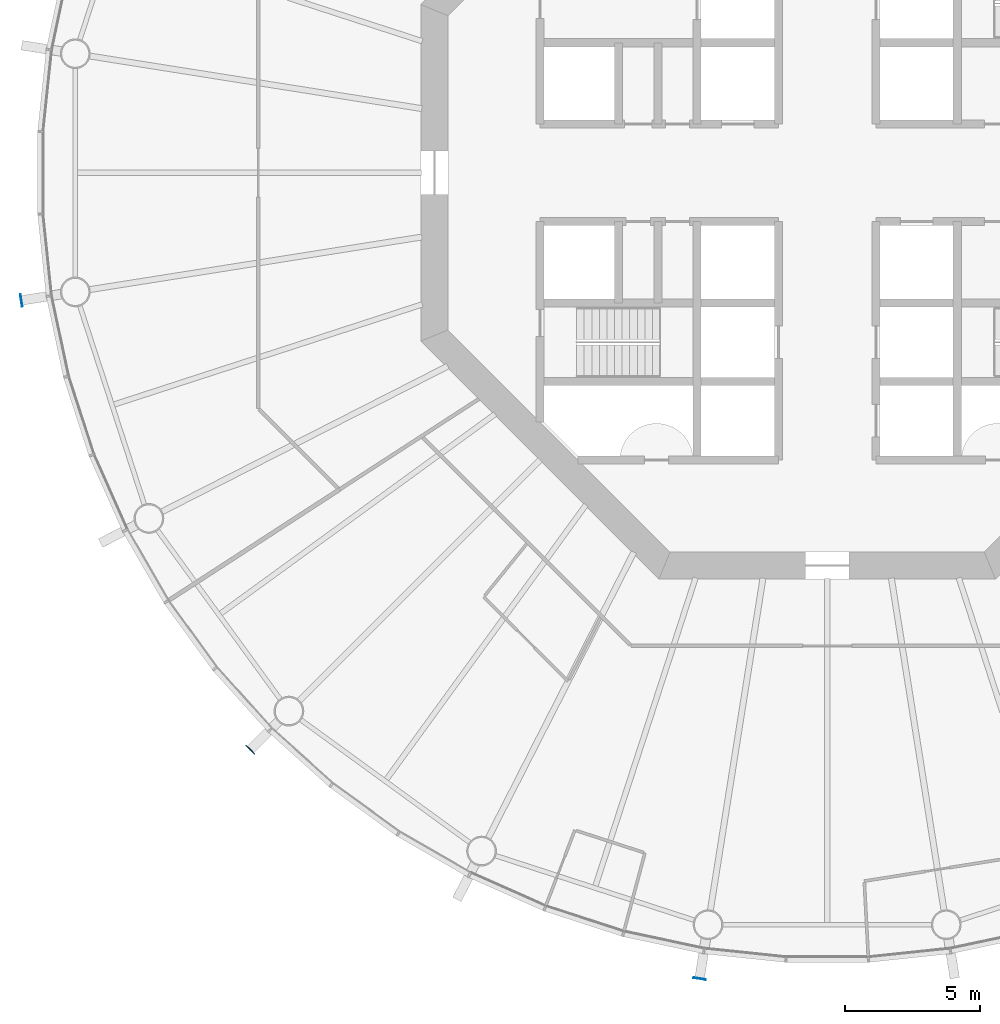
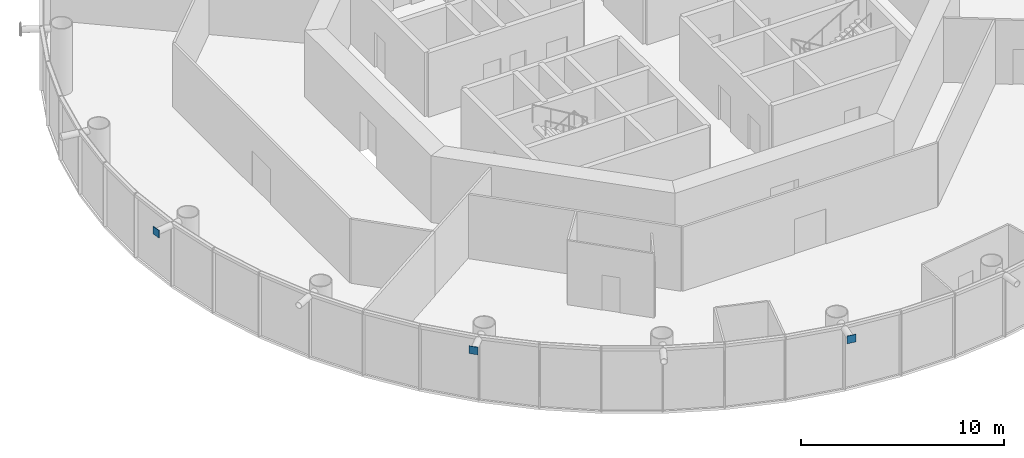
# One storey, part 7 of 17: 3 discrete accessories.
"""IFC4 building model written with IfcOpenShell, lengths in metres."""

from ifc_helpers import new_model, si_unit, direction, frame, origin, origin_2d, place, context, subcontext, project, spatial, rectangle, extrude, material, element, save


model = new_model("IFC4")

# Units and contexts
model_context = context("Model", 3, precision=1e-05, world=origin(), true_north=direction((0.0, 1.0)))
body_context = subcontext(model_context, "Body", "Model", "MODEL_VIEW")
ifc_project = project(units=[si_unit("LENGTHUNIT", "METRE"), si_unit("AREAUNIT", "SQUARE_METRE"), si_unit("VOLUMEUNIT", "CUBIC_METRE"), si_unit("PLANEANGLEUNIT", "RADIAN"), si_unit("MASSUNIT", "GRAM", prefix="KILO")], contexts=[model_context])

# Site, building, storey
site_placement = place(None, origin())
site = spatial("IfcSite", under=ifc_project, at=site_placement, CompositionType="ELEMENT")
building_placement = place(site_placement, origin())
building = spatial("IfcBuilding", under=site, at=building_placement, Name="Entoto Ring Tower", CompositionType="ELEMENT")
storey_placement = place(building_placement, frame((0.0, 0.0, 160.0)))
storey = spatial("IfcBuildingStorey", under=building, at=storey_placement, Name="L36", CompositionType="ELEMENT", Elevation=160.0)

# Discrete accessories
ifc_material = material(Name="Steel S355", Category="steel")
for number, where, z_axis, x_axis, name in (
    (1, (60.255859375, 75.2890625, 3.4443359375), (0.0, 0.0, 1.0), (-0.987688340595, -0.15643446504, 0.0), "Node strut end plate DS1 ring 11 10"),
    (2, (68.70556640625, 58.70556640625, 3.4443359375), (0.0, 0.0, 1.0), (-0.707106781187, -0.707106781187, 0.0), "Node strut end plate DS1 ring 11 12"),
    (3, (85.2890625, 50.255859375, 3.4443359375), (0.0, 0.0, 1.0), (-0.15643446504, -0.987688340595, 0.0), "Node strut end plate DS1 ring 11 14"),
):
    element("IfcDiscreteAccessory", number, at=place(storey_placement, frame(where, z_axis=z_axis, x_axis=x_axis)), inside=storey, material=ifc_material, Name=name, PredefinedType="BRACKET", context=body_context, shape_type="SweptSolid", body=[
        extrude(rectangle(XDim=0.030029296875, YDim=0.45556640625, at=origin_2d()), origin(), (0.0, 0.0, 1.0), 0.45556640625),
    ])

save(model, "model.ifc")
